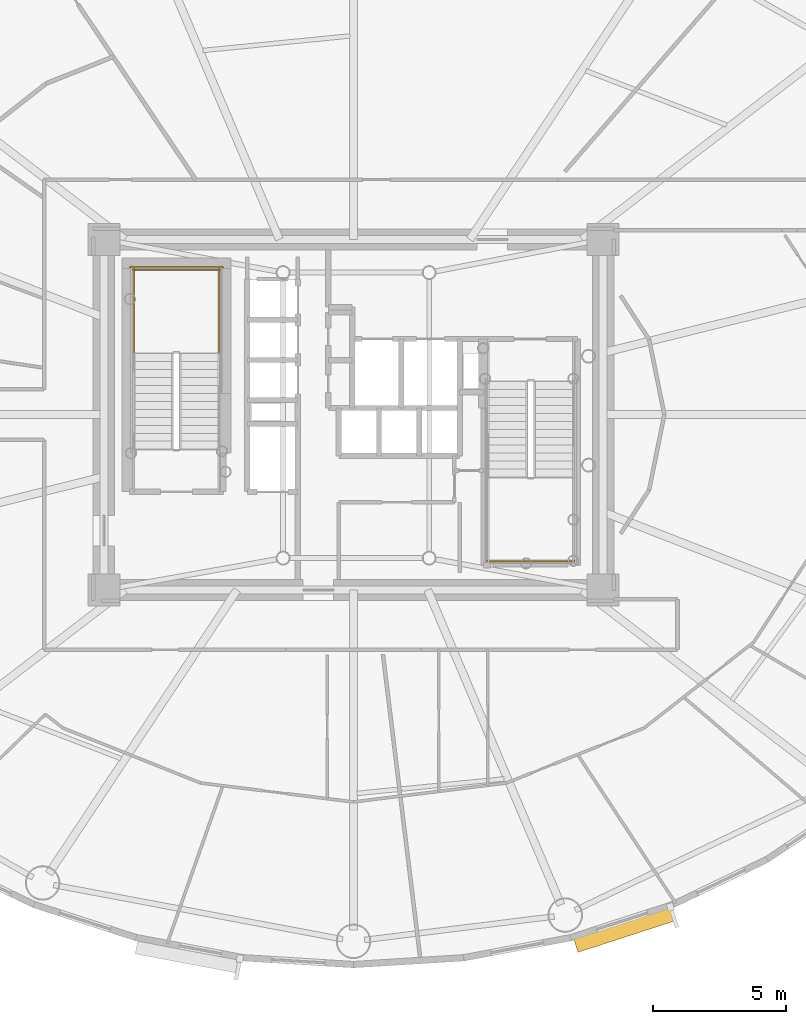
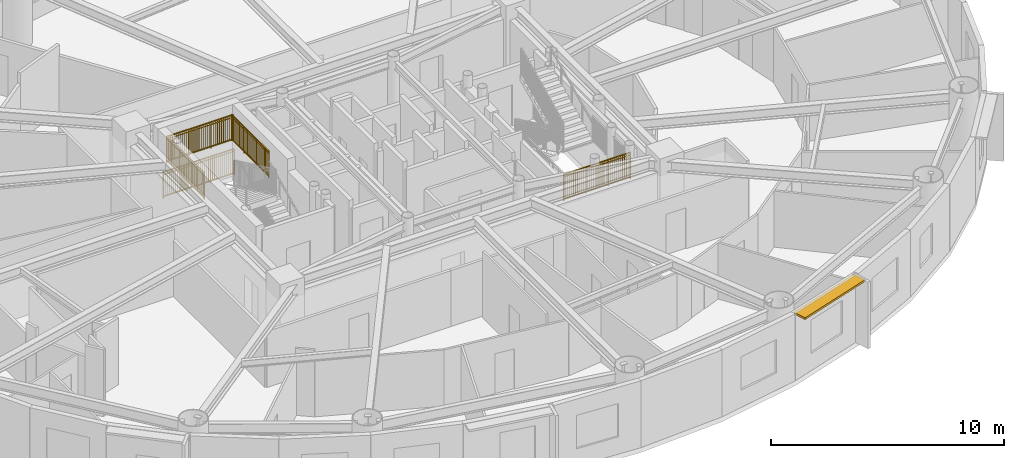
# One storey, part 16 of 18: 5 railings, 1 shading device.
"""IFC4 building model written with IfcOpenShell, lengths in metres."""

from ifc_helpers import new_model, si_unit, direction, frame, origin, origin_2d, place, context, subcontext, project, spatial, rectangle, extrude, source, transform, mapped, material, layer, layer_set, type_object, element, save


model = new_model("IFC4")

# Units and contexts
model_context = context("Model", 3, precision=1e-05, world=origin(), true_north=direction((0.0, 1.0)))
body_context = subcontext(model_context, "Body", "Model", "MODEL_VIEW")
ifc_project = project(units=[si_unit("LENGTHUNIT", "METRE"), si_unit("AREAUNIT", "SQUARE_METRE"), si_unit("VOLUMEUNIT", "CUBIC_METRE"), si_unit("PLANEANGLEUNIT", "RADIAN"), si_unit("MASSUNIT", "GRAM", prefix="KILO")], contexts=[model_context])

# Site, building, storey
site_placement = place(None, origin())
site = spatial("IfcSite", under=ifc_project, at=site_placement, CompositionType="ELEMENT")
building_placement = place(site_placement, origin())
building = spatial("IfcBuilding", under=site, at=building_placement, Name="Linh Dai School and Residence Tower", CompositionType="ELEMENT")
storey_placement = place(building_placement, frame((0.0, 0.0, 167.39990234375)))
storey = spatial("IfcBuildingStorey", under=building, at=storey_placement, Name="L40", CompositionType="ELEMENT", Elevation=167.39990234375)

# Shading device
ifc_material_1 = material(Name="Terracotta Ceramic Sunshade", Category="masonry")
ifc_layer = layer(ifc_material_1, 0.10009765625)
ifc_layer_set = layer_set([ifc_layer], Name="Terracotta Ceramic Sunshade")
shading_device_type = type_object("IfcShadingDeviceType", Name="SHD-TC-650", PredefinedType="USERDEFINED", material=ifc_layer_set)
shared_shape_1 = source(origin(), body_context, "Body", "SweptSolid", [
    extrude(rectangle(XDim=3.876220703125, YDim=0.64990234375, at=origin_2d()), origin(), (0.0, 0.0, 1.0), 0.10009765625),
])
shading_device_placement = place(storey_placement, frame((46.197265625, 7.662353515625, 3.380126953125), z_axis=(0.0, 0.0, 1.0), x_axis=(-0.951212761419, -0.308535707031, 0.0)))
element("IfcShadingDevice", 1, at=shading_device_placement, inside=storey, type_object=shading_device_type, Name="L40 Terracotta Horizontal Sunshade Band 33", ObjectType="SUNSHADE", PredefinedType="USERDEFINED", context=body_context, shape_type="MappedRepresentation", body=[
    mapped(shared_shape_1, transform((0.0, 0.0, 0.0), x_axis=(1.0, 0.0, 0.0), y_axis=(0.0, 1.0, 0.0), z_axis=(0.0, 0.0, 1.0), scale=1.0)),
])

# Railings
ifc_material_2 = material(Name="Structural Steel S355JR", Category="steel")
railing_type = type_object("IfcRailingType", Name="RL-ST-GUARD-1400", PredefinedType="GUARDRAIL", material=ifc_material_2)
shared_shape_2 = source(origin(), body_context, "Body", "SweptSolid", [
    extrude(rectangle(XDim=0.048095703125, YDim=0.048095703125, at=origin_2d()), frame((0.0, 0.0, 1.3759765625), z_axis=(-1.0, 0.0, 0.0), x_axis=(0.0, -1.0, 0.0)), (0.0, 0.0, 1.0), 3.300048828125),
    extrude(rectangle(XDim=0.048095703125, YDim=0.048095703125, at=origin_2d()), frame((0.0, 0.0, 0.10009765625), z_axis=(-1.0, 0.0, 0.0), x_axis=(0.0, -1.0, 0.0)), (0.0, 0.0, 1.0), 3.300048828125),
    extrude(rectangle(XDim=0.030029296875, YDim=0.030029296875, at=origin_2d()), frame((0.0, 0.0, 1.239990234375), z_axis=(-1.0, 0.0, 0.0), x_axis=(0.0, -1.0, 0.0)), (0.0, 0.0, 1.0), 3.300048828125),
    extrude(rectangle(XDim=0.02001953125, YDim=0.02001953125, at=origin_2d()), frame((-0.09716796875, 0.0, 0.10009765625)), (0.0, 0.0, 1.0), 1.251708984375),
    extrude(rectangle(XDim=0.02001953125, YDim=0.02001953125, at=origin_2d()), frame((-0.194091796875, 0.0, 0.10009765625)), (0.0, 0.0, 1.0), 1.251708984375),
    extrude(rectangle(XDim=0.02001953125, YDim=0.02001953125, at=origin_2d()), frame((-0.291259765625, 0.0, 0.10009765625)), (0.0, 0.0, 1.0), 1.251708984375),
    extrude(rectangle(XDim=0.02001953125, YDim=0.02001953125, at=origin_2d()), frame((-0.38818359375, 0.0, 0.10009765625)), (0.0, 0.0, 1.0), 1.251708984375),
    extrude(rectangle(XDim=0.02001953125, YDim=0.02001953125, at=origin_2d()), frame((-0.4853515625, 0.0, 0.10009765625)), (0.0, 0.0, 1.0), 1.251708984375),
    extrude(rectangle(XDim=0.02001953125, YDim=0.02001953125, at=origin_2d()), frame((-0.582275390625, 0.0, 0.10009765625)), (0.0, 0.0, 1.0), 1.251708984375),
    extrude(rectangle(XDim=0.02001953125, YDim=0.02001953125, at=origin_2d()), frame((-0.679443359375, 0.0, 0.10009765625)), (0.0, 0.0, 1.0), 1.251708984375),
    extrude(rectangle(XDim=0.02001953125, YDim=0.02001953125, at=origin_2d()), frame((-0.7763671875, 0.0, 0.10009765625)), (0.0, 0.0, 1.0), 1.251708984375),
    extrude(rectangle(XDim=0.02001953125, YDim=0.02001953125, at=origin_2d()), frame((-0.87353515625, 0.0, 0.10009765625)), (0.0, 0.0, 1.0), 1.251708984375),
    extrude(rectangle(XDim=0.02001953125, YDim=0.02001953125, at=origin_2d()), frame((-0.970703125, 0.0, 0.10009765625)), (0.0, 0.0, 1.0), 1.251708984375),
    extrude(rectangle(XDim=0.02001953125, YDim=0.02001953125, at=origin_2d()), frame((-1.164794921875, 0.0, 0.10009765625)), (0.0, 0.0, 1.0), 1.251708984375),
    extrude(rectangle(XDim=0.02001953125, YDim=0.02001953125, at=origin_2d()), frame((-1.26171875, 0.0, 0.10009765625)), (0.0, 0.0, 1.0), 1.251708984375),
    extrude(rectangle(XDim=0.02001953125, YDim=0.02001953125, at=origin_2d()), frame((-1.35888671875, 0.0, 0.10009765625)), (0.0, 0.0, 1.0), 1.251708984375),
    extrude(rectangle(XDim=0.02001953125, YDim=0.02001953125, at=origin_2d()), frame((-1.455810546875, 0.0, 0.10009765625)), (0.0, 0.0, 1.0), 1.251708984375),
    extrude(rectangle(XDim=0.02001953125, YDim=0.02001953125, at=origin_2d()), frame((-1.552978515625, 0.0, 0.10009765625)), (0.0, 0.0, 1.0), 1.251708984375),
    extrude(rectangle(XDim=0.02001953125, YDim=0.02001953125, at=origin_2d()), frame((-1.64990234375, 0.0, 0.10009765625)), (0.0, 0.0, 1.0), 1.251708984375),
    extrude(rectangle(XDim=0.02001953125, YDim=0.02001953125, at=origin_2d()), frame((-1.7470703125, 0.0, 0.10009765625)), (0.0, 0.0, 1.0), 1.251708984375),
    extrude(rectangle(XDim=0.02001953125, YDim=0.02001953125, at=origin_2d()), frame((-1.84423828125, 0.0, 0.10009765625)), (0.0, 0.0, 1.0), 1.251708984375),
    extrude(rectangle(XDim=0.02001953125, YDim=0.02001953125, at=origin_2d()), frame((-1.941162109375, 0.0, 0.10009765625)), (0.0, 0.0, 1.0), 1.251708984375),
    extrude(rectangle(XDim=0.02001953125, YDim=0.02001953125, at=origin_2d()), frame((-2.038330078125, 0.0, 0.10009765625)), (0.0, 0.0, 1.0), 1.251708984375),
    extrude(rectangle(XDim=0.02001953125, YDim=0.02001953125, at=origin_2d()), frame((-2.13525390625, 0.0, 0.10009765625)), (0.0, 0.0, 1.0), 1.251708984375),
    extrude(rectangle(XDim=0.02001953125, YDim=0.02001953125, at=origin_2d()), frame((-2.329345703125, 0.0, 0.10009765625)), (0.0, 0.0, 1.0), 1.251708984375),
    extrude(rectangle(XDim=0.02001953125, YDim=0.02001953125, at=origin_2d()), frame((-2.426513671875, 0.0, 0.10009765625)), (0.0, 0.0, 1.0), 1.251708984375),
    extrude(rectangle(XDim=0.02001953125, YDim=0.02001953125, at=origin_2d()), frame((-2.523681640625, 0.0, 0.10009765625)), (0.0, 0.0, 1.0), 1.251708984375),
    extrude(rectangle(XDim=0.02001953125, YDim=0.02001953125, at=origin_2d()), frame((-2.62060546875, 0.0, 0.10009765625)), (0.0, 0.0, 1.0), 1.251708984375),
    extrude(rectangle(XDim=0.02001953125, YDim=0.02001953125, at=origin_2d()), frame((-2.7177734375, 0.0, 0.10009765625)), (0.0, 0.0, 1.0), 1.251708984375),
    extrude(rectangle(XDim=0.02001953125, YDim=0.02001953125, at=origin_2d()), frame((-2.814697265625, 0.0, 0.10009765625)), (0.0, 0.0, 1.0), 1.251708984375),
    extrude(rectangle(XDim=0.02001953125, YDim=0.02001953125, at=origin_2d()), frame((-2.911865234375, 0.0, 0.10009765625)), (0.0, 0.0, 1.0), 1.251708984375),
    extrude(rectangle(XDim=0.02001953125, YDim=0.02001953125, at=origin_2d()), frame((-3.0087890625, 0.0, 0.10009765625)), (0.0, 0.0, 1.0), 1.251708984375),
    extrude(rectangle(XDim=0.02001953125, YDim=0.02001953125, at=origin_2d()), frame((-3.10595703125, 0.0, 0.10009765625)), (0.0, 0.0, 1.0), 1.251708984375),
    extrude(rectangle(XDim=0.02001953125, YDim=0.02001953125, at=origin_2d()), frame((-3.202880859375, 0.0, 0.10009765625)), (0.0, 0.0, 1.0), 1.251708984375),
    extrude(rectangle(XDim=0.0419921875, YDim=0.0419921875, at=origin_2d()), origin(), (0.0, 0.0, 1.0), 1.3759765625),
    extrude(rectangle(XDim=0.0419921875, YDim=0.0419921875, at=origin_2d()), frame((-1.10009765625, 0.0, 0.0)), (0.0, 0.0, 1.0), 1.3759765625),
    extrude(rectangle(XDim=0.0419921875, YDim=0.0419921875, at=origin_2d()), frame((-2.199951171875, 0.0, 0.0)), (0.0, 0.0, 1.0), 1.3759765625),
    extrude(rectangle(XDim=0.0419921875, YDim=0.0419921875, at=origin_2d()), frame((-3.300048828125, 0.0, 0.0)), (0.0, 0.0, 1.0), 1.3759765625),
])
railing_1_placement = place(storey_placement, frame((30.97998046875, 32.449951171875, 1.875)))
element("IfcRailing", 2, at=railing_1_placement, inside=storey, type_object=railing_type, Name="L40 ST1 stair guard 5", PredefinedType="GUARDRAIL", context=body_context, shape_type="MappedRepresentation", body=[
    mapped(shared_shape_2, transform((0.0, 0.0, 0.0), x_axis=(1.0, 0.0, 0.0), y_axis=(0.0, 1.0, 0.0), z_axis=(0.0, 0.0, 1.0), scale=1.0)),
])
shared_shape_3 = source(origin(), body_context, "Body", "SweptSolid", [
    extrude(rectangle(XDim=0.048095703125, YDim=0.048095703125, at=origin_2d()), frame((0.0, 0.0, 1.3759765625), z_axis=(-1.0, 0.0, 0.0), x_axis=(0.0, -1.0, 0.0)), (0.0, 0.0, 1.0), 3.5),
    extrude(rectangle(XDim=0.048095703125, YDim=0.048095703125, at=origin_2d()), frame((0.0, 0.0, 0.10009765625), z_axis=(-1.0, 0.0, 0.0), x_axis=(0.0, -1.0, 0.0)), (0.0, 0.0, 1.0), 3.5),
    extrude(rectangle(XDim=0.030029296875, YDim=0.030029296875, at=origin_2d()), frame((0.0, 0.0, 1.239990234375), z_axis=(-1.0, 0.0, 0.0), x_axis=(0.0, -1.0, 0.0)), (0.0, 0.0, 1.0), 3.5),
    extrude(rectangle(XDim=0.02001953125, YDim=0.02001953125, at=origin_2d()), frame((-0.09716796875, 0.0, 0.10009765625)), (0.0, 0.0, 1.0), 1.251708984375),
    extrude(rectangle(XDim=0.02001953125, YDim=0.02001953125, at=origin_2d()), frame((-0.1943359375, 0.0, 0.10009765625)), (0.0, 0.0, 1.0), 1.251708984375),
    extrude(rectangle(XDim=0.02001953125, YDim=0.02001953125, at=origin_2d()), frame((-0.291748046875, 0.0, 0.10009765625)), (0.0, 0.0, 1.0), 1.251708984375),
    extrude(rectangle(XDim=0.02001953125, YDim=0.02001953125, at=origin_2d()), frame((-0.388916015625, 0.0, 0.10009765625)), (0.0, 0.0, 1.0), 1.251708984375),
    extrude(rectangle(XDim=0.02001953125, YDim=0.02001953125, at=origin_2d()), frame((-0.486083984375, 0.0, 0.10009765625)), (0.0, 0.0, 1.0), 1.251708984375),
    extrude(rectangle(XDim=0.02001953125, YDim=0.02001953125, at=origin_2d()), frame((-0.583251953125, 0.0, 0.10009765625)), (0.0, 0.0, 1.0), 1.251708984375),
    extrude(rectangle(XDim=0.02001953125, YDim=0.02001953125, at=origin_2d()), frame((-0.6806640625, 0.0, 0.10009765625)), (0.0, 0.0, 1.0), 1.251708984375),
    extrude(rectangle(XDim=0.02001953125, YDim=0.02001953125, at=origin_2d()), frame((-0.77783203125, 0.0, 0.10009765625)), (0.0, 0.0, 1.0), 1.251708984375),
    extrude(rectangle(XDim=0.02001953125, YDim=0.02001953125, at=origin_2d()), frame((-0.875, 0.0, 0.10009765625)), (0.0, 0.0, 1.0), 1.251708984375),
    extrude(rectangle(XDim=0.02001953125, YDim=0.02001953125, at=origin_2d()), frame((-0.97216796875, 0.0, 0.10009765625)), (0.0, 0.0, 1.0), 1.251708984375),
    extrude(rectangle(XDim=0.02001953125, YDim=0.02001953125, at=origin_2d()), frame((-1.0693359375, 0.0, 0.10009765625)), (0.0, 0.0, 1.0), 1.251708984375),
    extrude(rectangle(XDim=0.02001953125, YDim=0.02001953125, at=origin_2d()), frame((-1.263916015625, 0.0, 0.10009765625)), (0.0, 0.0, 1.0), 1.251708984375),
    extrude(rectangle(XDim=0.02001953125, YDim=0.02001953125, at=origin_2d()), frame((-1.361083984375, 0.0, 0.10009765625)), (0.0, 0.0, 1.0), 1.251708984375),
    extrude(rectangle(XDim=0.02001953125, YDim=0.02001953125, at=origin_2d()), frame((-1.458251953125, 0.0, 0.10009765625)), (0.0, 0.0, 1.0), 1.251708984375),
    extrude(rectangle(XDim=0.02001953125, YDim=0.02001953125, at=origin_2d()), frame((-1.5556640625, 0.0, 0.10009765625)), (0.0, 0.0, 1.0), 1.251708984375),
    extrude(rectangle(XDim=0.02001953125, YDim=0.02001953125, at=origin_2d()), frame((-1.65283203125, 0.0, 0.10009765625)), (0.0, 0.0, 1.0), 1.251708984375),
    extrude(rectangle(XDim=0.02001953125, YDim=0.02001953125, at=origin_2d()), frame((-1.75, 0.0, 0.10009765625)), (0.0, 0.0, 1.0), 1.251708984375),
    extrude(rectangle(XDim=0.02001953125, YDim=0.02001953125, at=origin_2d()), frame((-1.84716796875, 0.0, 0.10009765625)), (0.0, 0.0, 1.0), 1.251708984375),
    extrude(rectangle(XDim=0.02001953125, YDim=0.02001953125, at=origin_2d()), frame((-1.9443359375, 0.0, 0.10009765625)), (0.0, 0.0, 1.0), 1.251708984375),
    extrude(rectangle(XDim=0.02001953125, YDim=0.02001953125, at=origin_2d()), frame((-2.041748046875, 0.0, 0.10009765625)), (0.0, 0.0, 1.0), 1.251708984375),
    extrude(rectangle(XDim=0.02001953125, YDim=0.02001953125, at=origin_2d()), frame((-2.138916015625, 0.0, 0.10009765625)), (0.0, 0.0, 1.0), 1.251708984375),
    extrude(rectangle(XDim=0.02001953125, YDim=0.02001953125, at=origin_2d()), frame((-2.236083984375, 0.0, 0.10009765625)), (0.0, 0.0, 1.0), 1.251708984375),
    extrude(rectangle(XDim=0.02001953125, YDim=0.02001953125, at=origin_2d()), frame((-2.4306640625, 0.0, 0.10009765625)), (0.0, 0.0, 1.0), 1.251708984375),
    extrude(rectangle(XDim=0.02001953125, YDim=0.02001953125, at=origin_2d()), frame((-2.52783203125, 0.0, 0.10009765625)), (0.0, 0.0, 1.0), 1.251708984375),
    extrude(rectangle(XDim=0.02001953125, YDim=0.02001953125, at=origin_2d()), frame((-2.625, 0.0, 0.10009765625)), (0.0, 0.0, 1.0), 1.251708984375),
    extrude(rectangle(XDim=0.02001953125, YDim=0.02001953125, at=origin_2d()), frame((-2.72216796875, 0.0, 0.10009765625)), (0.0, 0.0, 1.0), 1.251708984375),
    extrude(rectangle(XDim=0.02001953125, YDim=0.02001953125, at=origin_2d()), frame((-2.8193359375, 0.0, 0.10009765625)), (0.0, 0.0, 1.0), 1.251708984375),
    extrude(rectangle(XDim=0.02001953125, YDim=0.02001953125, at=origin_2d()), frame((-2.916748046875, 0.0, 0.10009765625)), (0.0, 0.0, 1.0), 1.251708984375),
    extrude(rectangle(XDim=0.02001953125, YDim=0.02001953125, at=origin_2d()), frame((-3.013916015625, 0.0, 0.10009765625)), (0.0, 0.0, 1.0), 1.251708984375),
    extrude(rectangle(XDim=0.02001953125, YDim=0.02001953125, at=origin_2d()), frame((-3.111083984375, 0.0, 0.10009765625)), (0.0, 0.0, 1.0), 1.251708984375),
    extrude(rectangle(XDim=0.02001953125, YDim=0.02001953125, at=origin_2d()), frame((-3.208251953125, 0.0, 0.10009765625)), (0.0, 0.0, 1.0), 1.251708984375),
    extrude(rectangle(XDim=0.02001953125, YDim=0.02001953125, at=origin_2d()), frame((-3.3056640625, 0.0, 0.10009765625)), (0.0, 0.0, 1.0), 1.251708984375),
    extrude(rectangle(XDim=0.02001953125, YDim=0.02001953125, at=origin_2d()), frame((-3.40283203125, 0.0, 0.10009765625)), (0.0, 0.0, 1.0), 1.251708984375),
    extrude(rectangle(XDim=0.0419921875, YDim=0.0419921875, at=origin_2d()), origin(), (0.0, 0.0, 1.0), 1.3759765625),
    extrude(rectangle(XDim=0.0419921875, YDim=0.0419921875, at=origin_2d()), frame((-1.166748046875, 0.0, 0.0)), (0.0, 0.0, 1.0), 1.3759765625),
    extrude(rectangle(XDim=0.0419921875, YDim=0.0419921875, at=origin_2d()), frame((-2.333251953125, 0.0, 0.0)), (0.0, 0.0, 1.0), 1.3759765625),
    extrude(rectangle(XDim=0.0419921875, YDim=0.0419921875, at=origin_2d()), frame((-3.5, 0.0, 0.0)), (0.0, 0.0, 1.0), 1.3759765625),
])
railing_2_placement = place(storey_placement, frame((31.080078125, 32.550048828125, 0.0)))
element("IfcRailing", 3, at=railing_2_placement, inside=storey, type_object=railing_type, Name="L40 ST1 stair guard 12", PredefinedType="GUARDRAIL", context=body_context, shape_type="MappedRepresentation", body=[
    mapped(shared_shape_3, transform((0.0, 0.0, 0.0), x_axis=(1.0, 0.0, 0.0), y_axis=(0.0, 1.0, 0.0), z_axis=(0.0, 0.0, 1.0), scale=1.0)),
])
shared_shape_4 = source(origin(), body_context, "Body", "SweptSolid", [
    extrude(rectangle(XDim=0.048095703125, YDim=0.048095703125, at=origin_2d()), frame((0.0, 0.0, 1.3759765625), z_axis=(0.0, 1.0, 0.0), x_axis=(-1.0, 0.0, 0.0)), (0.0, 0.0, 1.0), 3.199951171875),
    extrude(rectangle(XDim=0.048095703125, YDim=0.048095703125, at=origin_2d()), frame((0.0, 0.0, 0.10009765625), z_axis=(0.0, 1.0, 0.0), x_axis=(-1.0, 0.0, 0.0)), (0.0, 0.0, 1.0), 3.199951171875),
    extrude(rectangle(XDim=0.030029296875, YDim=0.030029296875, at=origin_2d()), frame((0.0, 0.0, 1.239990234375), z_axis=(0.0, 1.0, 0.0), x_axis=(-1.0, 0.0, 0.0)), (0.0, 0.0, 1.0), 3.199951171875),
    extrude(rectangle(XDim=0.02001953125, YDim=0.02001953125, at=origin_2d()), frame((0.0, 0.096923828125, 0.10009765625)), (0.0, 0.0, 1.0), 1.251708984375),
    extrude(rectangle(XDim=0.02001953125, YDim=0.02001953125, at=origin_2d()), frame((0.0, 0.19384765625, 0.10009765625)), (0.0, 0.0, 1.0), 1.251708984375),
    extrude(rectangle(XDim=0.02001953125, YDim=0.02001953125, at=origin_2d()), frame((0.0, 0.291015625, 0.10009765625)), (0.0, 0.0, 1.0), 1.251708984375),
    extrude(rectangle(XDim=0.02001953125, YDim=0.02001953125, at=origin_2d()), frame((0.0, 0.387939453125, 0.10009765625)), (0.0, 0.0, 1.0), 1.251708984375),
    extrude(rectangle(XDim=0.02001953125, YDim=0.02001953125, at=origin_2d()), frame((0.0, 0.48486328125, 0.10009765625)), (0.0, 0.0, 1.0), 1.251708984375),
    extrude(rectangle(XDim=0.02001953125, YDim=0.02001953125, at=origin_2d()), frame((0.0, 0.581787109375, 0.10009765625)), (0.0, 0.0, 1.0), 1.251708984375),
    extrude(rectangle(XDim=0.02001953125, YDim=0.02001953125, at=origin_2d()), frame((0.0, 0.6787109375, 0.10009765625)), (0.0, 0.0, 1.0), 1.251708984375),
    extrude(rectangle(XDim=0.02001953125, YDim=0.02001953125, at=origin_2d()), frame((0.0, 0.775634765625, 0.10009765625)), (0.0, 0.0, 1.0), 1.251708984375),
    extrude(rectangle(XDim=0.02001953125, YDim=0.02001953125, at=origin_2d()), frame((0.0, 0.872802734375, 0.10009765625)), (0.0, 0.0, 1.0), 1.251708984375),
    extrude(rectangle(XDim=0.02001953125, YDim=0.02001953125, at=origin_2d()), frame((0.0, 0.9697265625, 0.10009765625)), (0.0, 0.0, 1.0), 1.251708984375),
    extrude(rectangle(XDim=0.02001953125, YDim=0.02001953125, at=origin_2d()), frame((0.0, 1.16357421875, 0.10009765625)), (0.0, 0.0, 1.0), 1.251708984375),
    extrude(rectangle(XDim=0.02001953125, YDim=0.02001953125, at=origin_2d()), frame((0.0, 1.260498046875, 0.10009765625)), (0.0, 0.0, 1.0), 1.251708984375),
    extrude(rectangle(XDim=0.02001953125, YDim=0.02001953125, at=origin_2d()), frame((0.0, 1.357666015625, 0.10009765625)), (0.0, 0.0, 1.0), 1.251708984375),
    extrude(rectangle(XDim=0.02001953125, YDim=0.02001953125, at=origin_2d()), frame((0.0, 1.45458984375, 0.10009765625)), (0.0, 0.0, 1.0), 1.251708984375),
    extrude(rectangle(XDim=0.02001953125, YDim=0.02001953125, at=origin_2d()), frame((0.0, 1.551513671875, 0.10009765625)), (0.0, 0.0, 1.0), 1.251708984375),
    extrude(rectangle(XDim=0.02001953125, YDim=0.02001953125, at=origin_2d()), frame((0.0, 1.6484375, 0.10009765625)), (0.0, 0.0, 1.0), 1.251708984375),
    extrude(rectangle(XDim=0.02001953125, YDim=0.02001953125, at=origin_2d()), frame((0.0, 1.745361328125, 0.10009765625)), (0.0, 0.0, 1.0), 1.251708984375),
    extrude(rectangle(XDim=0.02001953125, YDim=0.02001953125, at=origin_2d()), frame((0.0, 1.84228515625, 0.10009765625)), (0.0, 0.0, 1.0), 1.251708984375),
    extrude(rectangle(XDim=0.02001953125, YDim=0.02001953125, at=origin_2d()), frame((0.0, 1.939453125, 0.10009765625)), (0.0, 0.0, 1.0), 1.251708984375),
    extrude(rectangle(XDim=0.02001953125, YDim=0.02001953125, at=origin_2d()), frame((0.0, 2.036376953125, 0.10009765625)), (0.0, 0.0, 1.0), 1.251708984375),
    extrude(rectangle(XDim=0.02001953125, YDim=0.02001953125, at=origin_2d()), frame((0.0, 2.230224609375, 0.10009765625)), (0.0, 0.0, 1.0), 1.251708984375),
    extrude(rectangle(XDim=0.02001953125, YDim=0.02001953125, at=origin_2d()), frame((0.0, 2.3271484375, 0.10009765625)), (0.0, 0.0, 1.0), 1.251708984375),
    extrude(rectangle(XDim=0.02001953125, YDim=0.02001953125, at=origin_2d()), frame((0.0, 2.42431640625, 0.10009765625)), (0.0, 0.0, 1.0), 1.251708984375),
    extrude(rectangle(XDim=0.02001953125, YDim=0.02001953125, at=origin_2d()), frame((0.0, 2.521240234375, 0.10009765625)), (0.0, 0.0, 1.0), 1.251708984375),
    extrude(rectangle(XDim=0.02001953125, YDim=0.02001953125, at=origin_2d()), frame((0.0, 2.6181640625, 0.10009765625)), (0.0, 0.0, 1.0), 1.251708984375),
    extrude(rectangle(XDim=0.02001953125, YDim=0.02001953125, at=origin_2d()), frame((0.0, 2.715087890625, 0.10009765625)), (0.0, 0.0, 1.0), 1.251708984375),
    extrude(rectangle(XDim=0.02001953125, YDim=0.02001953125, at=origin_2d()), frame((0.0, 2.81201171875, 0.10009765625)), (0.0, 0.0, 1.0), 1.251708984375),
    extrude(rectangle(XDim=0.02001953125, YDim=0.02001953125, at=origin_2d()), frame((0.0, 2.908935546875, 0.10009765625)), (0.0, 0.0, 1.0), 1.251708984375),
    extrude(rectangle(XDim=0.02001953125, YDim=0.02001953125, at=origin_2d()), frame((0.0, 3.006103515625, 0.10009765625)), (0.0, 0.0, 1.0), 1.251708984375),
    extrude(rectangle(XDim=0.02001953125, YDim=0.02001953125, at=origin_2d()), frame((0.0, 3.10302734375, 0.10009765625)), (0.0, 0.0, 1.0), 1.251708984375),
    extrude(rectangle(XDim=0.0419921875, YDim=0.0419921875, at=origin_2d()), origin(), (0.0, 0.0, 1.0), 1.3759765625),
    extrude(rectangle(XDim=0.0419921875, YDim=0.0419921875, at=origin_2d()), frame((0.0, 1.066650390625, 0.0)), (0.0, 0.0, 1.0), 1.3759765625),
    extrude(rectangle(XDim=0.0419921875, YDim=0.0419921875, at=origin_2d()), frame((0.0, 2.13330078125, 0.0)), (0.0, 0.0, 1.0), 1.3759765625),
    extrude(rectangle(XDim=0.0419921875, YDim=0.0419921875, at=origin_2d()), frame((0.0, 3.199951171875, 0.0)), (0.0, 0.0, 1.0), 1.3759765625),
])
for number, where, name in (
    (4, (30.929931640625, 29.300048828125, 1.875), "L40 ST1 stair guard 3"),
    (5, (27.72998046875, 29.300048828125, 1.875), "L40 ST1 stair guard 4"),
):
    element("IfcRailing", number, at=place(storey_placement, frame(where)), inside=storey, type_object=railing_type, Name=name, PredefinedType="GUARDRAIL", context=body_context, shape_type="MappedRepresentation", body=[
        mapped(shared_shape_4, transform((0.0, 0.0, 0.0), x_axis=(1.0, 0.0, 0.0), y_axis=(0.0, 1.0, 0.0), z_axis=(0.0, 0.0, 1.0), scale=1.0)),
    ])
shared_shape_5 = source(origin(), body_context, "Body", "SweptSolid", [
    extrude(rectangle(XDim=0.048095703125, YDim=0.048095703125, at=origin_2d()), frame((0.0, 0.0, 1.3759765625), z_axis=(1.0, 0.0, 0.0), x_axis=(0.0, 1.0, 0.0)), (0.0, 0.0, 1.0), 3.300048828125),
    extrude(rectangle(XDim=0.048095703125, YDim=0.048095703125, at=origin_2d()), frame((0.0, 0.0, 0.10009765625), z_axis=(1.0, 0.0, 0.0), x_axis=(0.0, 1.0, 0.0)), (0.0, 0.0, 1.0), 3.300048828125),
    extrude(rectangle(XDim=0.030029296875, YDim=0.030029296875, at=origin_2d()), frame((0.0, 0.0, 1.239990234375), z_axis=(1.0, 0.0, 0.0), x_axis=(0.0, 1.0, 0.0)), (0.0, 0.0, 1.0), 3.300048828125),
    extrude(rectangle(XDim=0.02001953125, YDim=0.02001953125, at=origin_2d()), frame((0.09716796875, 0.0, 0.10009765625)), (0.0, 0.0, 1.0), 1.251708984375),
    extrude(rectangle(XDim=0.02001953125, YDim=0.02001953125, at=origin_2d()), frame((0.194091796875, 0.0, 0.10009765625)), (0.0, 0.0, 1.0), 1.251708984375),
    extrude(rectangle(XDim=0.02001953125, YDim=0.02001953125, at=origin_2d()), frame((0.291259765625, 0.0, 0.10009765625)), (0.0, 0.0, 1.0), 1.251708984375),
    extrude(rectangle(XDim=0.02001953125, YDim=0.02001953125, at=origin_2d()), frame((0.38818359375, 0.0, 0.10009765625)), (0.0, 0.0, 1.0), 1.251708984375),
    extrude(rectangle(XDim=0.02001953125, YDim=0.02001953125, at=origin_2d()), frame((0.4853515625, 0.0, 0.10009765625)), (0.0, 0.0, 1.0), 1.251708984375),
    extrude(rectangle(XDim=0.02001953125, YDim=0.02001953125, at=origin_2d()), frame((0.582275390625, 0.0, 0.10009765625)), (0.0, 0.0, 1.0), 1.251708984375),
    extrude(rectangle(XDim=0.02001953125, YDim=0.02001953125, at=origin_2d()), frame((0.679443359375, 0.0, 0.10009765625)), (0.0, 0.0, 1.0), 1.251708984375),
    extrude(rectangle(XDim=0.02001953125, YDim=0.02001953125, at=origin_2d()), frame((0.7763671875, 0.0, 0.10009765625)), (0.0, 0.0, 1.0), 1.251708984375),
    extrude(rectangle(XDim=0.02001953125, YDim=0.02001953125, at=origin_2d()), frame((0.87353515625, 0.0, 0.10009765625)), (0.0, 0.0, 1.0), 1.251708984375),
    extrude(rectangle(XDim=0.02001953125, YDim=0.02001953125, at=origin_2d()), frame((0.970703125, 0.0, 0.10009765625)), (0.0, 0.0, 1.0), 1.251708984375),
    extrude(rectangle(XDim=0.02001953125, YDim=0.02001953125, at=origin_2d()), frame((1.164794921875, 0.0, 0.10009765625)), (0.0, 0.0, 1.0), 1.251708984375),
    extrude(rectangle(XDim=0.02001953125, YDim=0.02001953125, at=origin_2d()), frame((1.26171875, 0.0, 0.10009765625)), (0.0, 0.0, 1.0), 1.251708984375),
    extrude(rectangle(XDim=0.02001953125, YDim=0.02001953125, at=origin_2d()), frame((1.35888671875, 0.0, 0.10009765625)), (0.0, 0.0, 1.0), 1.251708984375),
    extrude(rectangle(XDim=0.02001953125, YDim=0.02001953125, at=origin_2d()), frame((1.455810546875, 0.0, 0.10009765625)), (0.0, 0.0, 1.0), 1.251708984375),
    extrude(rectangle(XDim=0.02001953125, YDim=0.02001953125, at=origin_2d()), frame((1.552978515625, 0.0, 0.10009765625)), (0.0, 0.0, 1.0), 1.251708984375),
    extrude(rectangle(XDim=0.02001953125, YDim=0.02001953125, at=origin_2d()), frame((1.64990234375, 0.0, 0.10009765625)), (0.0, 0.0, 1.0), 1.251708984375),
    extrude(rectangle(XDim=0.02001953125, YDim=0.02001953125, at=origin_2d()), frame((1.7470703125, 0.0, 0.10009765625)), (0.0, 0.0, 1.0), 1.251708984375),
    extrude(rectangle(XDim=0.02001953125, YDim=0.02001953125, at=origin_2d()), frame((1.84423828125, 0.0, 0.10009765625)), (0.0, 0.0, 1.0), 1.251708984375),
    extrude(rectangle(XDim=0.02001953125, YDim=0.02001953125, at=origin_2d()), frame((1.941162109375, 0.0, 0.10009765625)), (0.0, 0.0, 1.0), 1.251708984375),
    extrude(rectangle(XDim=0.02001953125, YDim=0.02001953125, at=origin_2d()), frame((2.038330078125, 0.0, 0.10009765625)), (0.0, 0.0, 1.0), 1.251708984375),
    extrude(rectangle(XDim=0.02001953125, YDim=0.02001953125, at=origin_2d()), frame((2.13525390625, 0.0, 0.10009765625)), (0.0, 0.0, 1.0), 1.251708984375),
    extrude(rectangle(XDim=0.02001953125, YDim=0.02001953125, at=origin_2d()), frame((2.329345703125, 0.0, 0.10009765625)), (0.0, 0.0, 1.0), 1.251708984375),
    extrude(rectangle(XDim=0.02001953125, YDim=0.02001953125, at=origin_2d()), frame((2.426513671875, 0.0, 0.10009765625)), (0.0, 0.0, 1.0), 1.251708984375),
    extrude(rectangle(XDim=0.02001953125, YDim=0.02001953125, at=origin_2d()), frame((2.523681640625, 0.0, 0.10009765625)), (0.0, 0.0, 1.0), 1.251708984375),
    extrude(rectangle(XDim=0.02001953125, YDim=0.02001953125, at=origin_2d()), frame((2.62060546875, 0.0, 0.10009765625)), (0.0, 0.0, 1.0), 1.251708984375),
    extrude(rectangle(XDim=0.02001953125, YDim=0.02001953125, at=origin_2d()), frame((2.7177734375, 0.0, 0.10009765625)), (0.0, 0.0, 1.0), 1.251708984375),
    extrude(rectangle(XDim=0.02001953125, YDim=0.02001953125, at=origin_2d()), frame((2.814697265625, 0.0, 0.10009765625)), (0.0, 0.0, 1.0), 1.251708984375),
    extrude(rectangle(XDim=0.02001953125, YDim=0.02001953125, at=origin_2d()), frame((2.911865234375, 0.0, 0.10009765625)), (0.0, 0.0, 1.0), 1.251708984375),
    extrude(rectangle(XDim=0.02001953125, YDim=0.02001953125, at=origin_2d()), frame((3.0087890625, 0.0, 0.10009765625)), (0.0, 0.0, 1.0), 1.251708984375),
    extrude(rectangle(XDim=0.02001953125, YDim=0.02001953125, at=origin_2d()), frame((3.10595703125, 0.0, 0.10009765625)), (0.0, 0.0, 1.0), 1.251708984375),
    extrude(rectangle(XDim=0.02001953125, YDim=0.02001953125, at=origin_2d()), frame((3.202880859375, 0.0, 0.10009765625)), (0.0, 0.0, 1.0), 1.251708984375),
    extrude(rectangle(XDim=0.0419921875, YDim=0.0419921875, at=origin_2d()), origin(), (0.0, 0.0, 1.0), 1.3759765625),
    extrude(rectangle(XDim=0.0419921875, YDim=0.0419921875, at=origin_2d()), frame((1.10009765625, 0.0, 0.0)), (0.0, 0.0, 1.0), 1.3759765625),
    extrude(rectangle(XDim=0.0419921875, YDim=0.0419921875, at=origin_2d()), frame((2.199951171875, 0.0, 0.0)), (0.0, 0.0, 1.0), 1.3759765625),
    extrude(rectangle(XDim=0.0419921875, YDim=0.0419921875, at=origin_2d()), frame((3.300048828125, 0.0, 0.0)), (0.0, 0.0, 1.0), 1.3759765625),
])
railing_3_placement = place(storey_placement, frame((41.02001953125, 21.5, 1.875)))
element("IfcRailing", 6, at=railing_3_placement, inside=storey, type_object=railing_type, Name="L40 ST2 stair guard 5", PredefinedType="GUARDRAIL", context=body_context, shape_type="MappedRepresentation", body=[
    mapped(shared_shape_5, transform((0.0, 0.0, 0.0), x_axis=(1.0, 0.0, 0.0), y_axis=(0.0, 1.0, 0.0), z_axis=(0.0, 0.0, 1.0), scale=1.0)),
])

save(model, "model.ifc")
